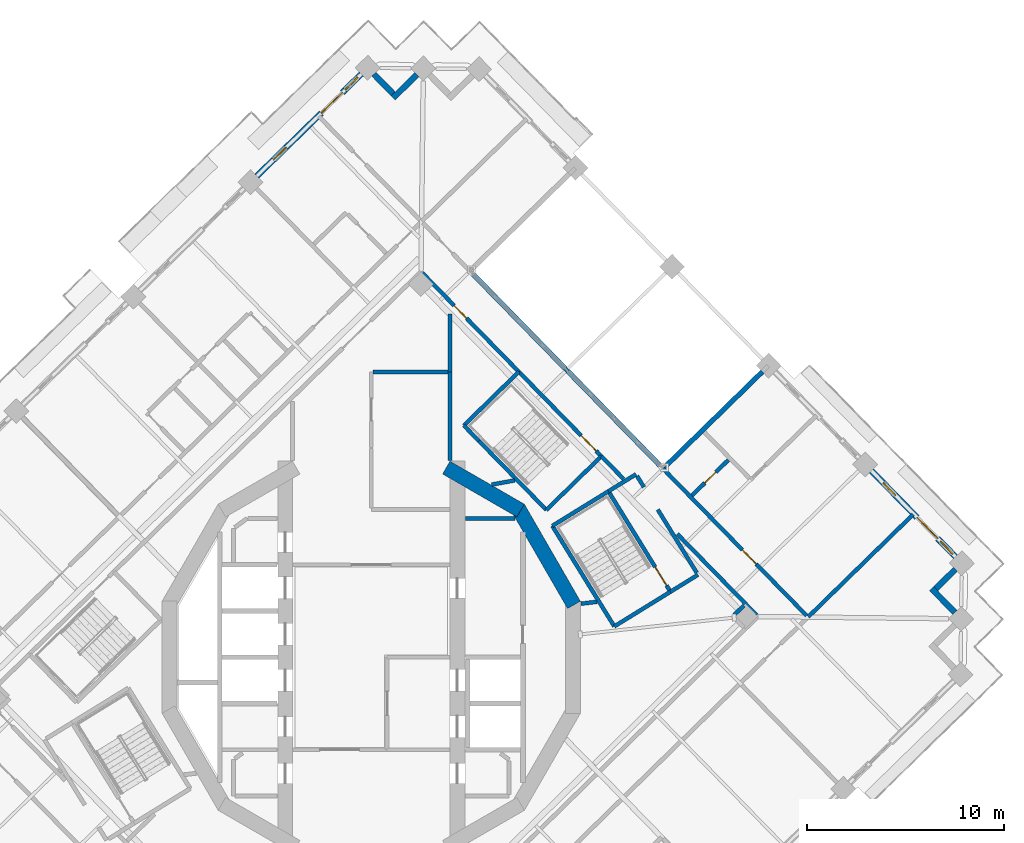
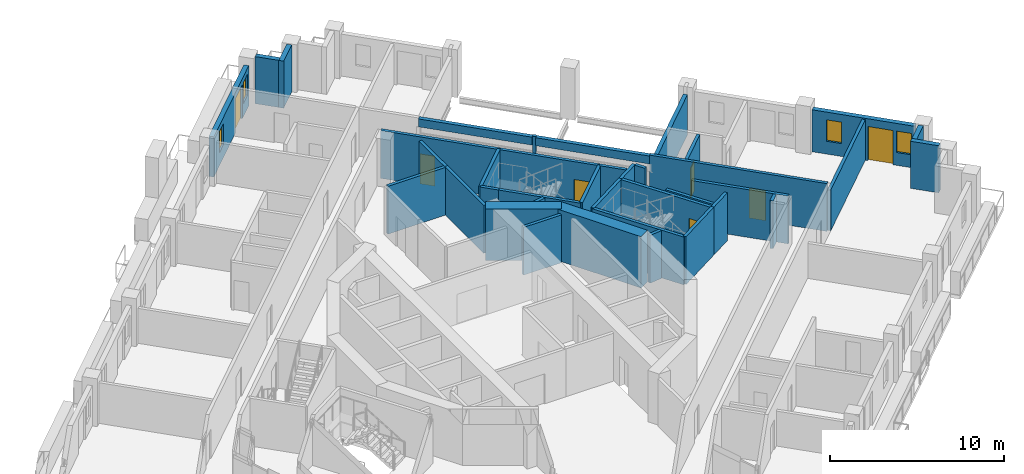
# One storey, part 12 of 20: 38 walls, 7 doors, 4 windows, 11 openings.
"""IFC4 building model written with IfcOpenShell, lengths in metres."""

import ifcopenshell
import ifcopenshell.guid

model = None  # the IFC model being written
_history = None  # IfcOwnerHistory: only IFC2X3 demands one
_inside = {}  # id of a spatial element -> (the spatial element, [elements in it])
_under = {}  # id of a project, library or spatial element -> (it, [spatial elements below it])
_declared = {}  # id of a project -> (the project, [libraries it declares])
_typed = {}  # id of a type object -> (the type object, [elements of that type])
_made_of = {}  # id of a material, layer set ... -> (it, [elements and type objects made of it])


def new_model(schema):
    """Start an empty IFC model of exactly this schema.

    Asked for "IFC4X3", IfcOpenShell would pick the latest addendum, in which some entities
    have other attributes; the version numbers below select the first issue.
    IFC2X3 requires an IfcOwnerHistory on every rooted entity: one is made here for all.
    """
    global model, _history
    if schema == "IFC4X3":
        model = ifcopenshell.file(schema_version=(4, 3, 0, 0))
    else:
        model = ifcopenshell.file(schema=schema)
    _inside.clear()
    _under.clear()
    _declared.clear()
    _typed.clear()
    _made_of.clear()
    _history = None
    if model.schema == "IFC2X3":
        org = make("IfcOrganization", Name="unknown")
        user = make(
            "IfcPersonAndOrganization",
            ThePerson=make("IfcPerson", FamilyName="unknown"),
            TheOrganization=org,
        )
        app = make(
            "IfcApplication",
            ApplicationDeveloper=org,
            Version="unknown",
            ApplicationFullName="unknown",
            ApplicationIdentifier="unknown",
        )
        _history = make(
            "IfcOwnerHistory",
            OwningUser=user,
            OwningApplication=app,
            ChangeAction="ADDED",
            CreationDate=0,
        )
    return model


def make(cls, **values):
    """One entity of the class cls with the attributes given. An attribute that is None is left unset."""
    return model.create_entity(
        cls, **{name: value for name, value in values.items() if value is not None}
    )


def rooted(cls, **values):
    """An entity with a GlobalId (a new one), such as an element, a storey or a relation."""
    return make(cls, GlobalId=ifcopenshell.guid.new(), OwnerHistory=_history, **values)


def si_unit(unit_type, name, prefix=None):
    """IfcSIUnit, for example si_unit("LENGTHUNIT", "METRE", prefix="MILLI")."""
    return make("IfcSIUnit", UnitType=unit_type, Prefix=prefix, Name=name)


def assignment(units):
    """IfcUnitAssignment: the units of a project."""
    return None if units is None else make("IfcUnitAssignment", Units=units)


def point(xyz):
    """IfcCartesianPoint."""
    return None if xyz is None else make("IfcCartesianPoint", Coordinates=xyz)


def direction(xyz):
    """IfcDirection."""
    return None if xyz is None else make("IfcDirection", DirectionRatios=xyz)


def frame(location, z_axis=None, x_axis=None):
    """IfcAxis2Placement3D, a coordinate frame: its origin and axes. An axis left out is left unset."""
    return make(
        "IfcAxis2Placement3D",
        Location=point(location),
        Axis=direction(z_axis),
        RefDirection=direction(x_axis),
    )


def frame_2d(location, x_axis=None):
    """IfcAxis2Placement2D, a coordinate frame in the plane: its origin and x axis."""
    return make(
        "IfcAxis2Placement2D", Location=point(location), RefDirection=direction(x_axis)
    )


def origin():
    """The frame at (0, 0, 0) with its axes left unset."""
    return frame((0.0, 0.0, 0.0))


def place(relative_to, where):
    """IfcLocalPlacement: puts the frame where relative to a parent placement (None: the world)."""
    return make(
        "IfcLocalPlacement", PlacementRelTo=relative_to, RelativePlacement=where
    )


def context(
    kind, dimensions, precision=None, world=None, true_north=None, identifier=None
):
    """IfcGeometricRepresentationContext, for example the 3D "Model" context."""
    return make(
        "IfcGeometricRepresentationContext",
        ContextIdentifier=identifier,
        ContextType=kind,
        CoordinateSpaceDimension=dimensions,
        Precision=precision,
        WorldCoordinateSystem=world,
        TrueNorth=true_north,
    )


def subcontext(parent, identifier, kind, view, scale=None):
    """IfcGeometricRepresentationSubContext, for example "Body" below "Model"."""
    return make(
        "IfcGeometricRepresentationSubContext",
        ContextIdentifier=identifier,
        ContextType=kind,
        ParentContext=parent,
        TargetScale=scale,
        TargetView=view,
    )


def project(units=None, contexts=None):
    """IfcProject with its units and contexts."""
    return rooted(
        "IfcProject",
        Name="project",
        RepresentationContexts=contexts,
        UnitsInContext=assignment(units),
    )


def spatial(cls, under=None, at=None, **own):
    """A site, building, storey or space (cls), placed at a placement, below another one or the project."""
    s = rooted(cls, ObjectPlacement=at, **own)
    if under is not None:
        _under.setdefault(under.id(), (under, []))[1].append(s)
    return s


def profile(cls, at=None, kind="AREA", **sizes):
    """A parametric profile (cls). Its sizes go by their IFC names, for example OverallWidth=200.0."""
    return make(cls, ProfileType=kind, Position=at, **sizes)


def rectangle(**sizes):
    """IfcRectangleProfileDef."""
    return profile("IfcRectangleProfileDef", **sizes)


def extrude(swept, where, along, depth):
    """IfcExtrudedAreaSolid: the profile swept, set in the frame where, extruded along a direction by depth."""
    return make(
        "IfcExtrudedAreaSolid",
        SweptArea=swept,
        Position=where,
        ExtrudedDirection=direction(along),
        Depth=depth,
    )


def shape(context_of_items, identifier, shape_type, items):
    """IfcShapeRepresentation: the items that make up one representation, for example the "Body"."""
    return make(
        "IfcShapeRepresentation",
        ContextOfItems=context_of_items,
        RepresentationIdentifier=identifier,
        RepresentationType=shape_type,
        Items=items,
    )


def material(Name=None, Category=None):
    """IfcMaterial."""
    return make("IfcMaterial", Name=Name, Category=Category)


def layer(
    of_material, thickness, ventilated=None, Name=None, Category=None, Priority=None
):
    """IfcMaterialLayer: one layer of a wall or slab, of a material (None: an air gap)."""
    return make(
        "IfcMaterialLayer",
        Material=of_material,
        LayerThickness=thickness,
        IsVentilated=ventilated,
        Name=Name,
        Category=Category,
        Priority=Priority,
    )


def layer_set(layers, Name=None):
    """IfcMaterialLayerSet."""
    return make("IfcMaterialLayerSet", MaterialLayers=layers, LayerSetName=Name)


def made_of(thing, what):
    """Note that an element or type object is made of a material, layer set ...; save() writes the relation."""
    if what is not None:
        _made_of.setdefault(what.id(), (what, []))[1].append(thing)
    return thing


def type_object(cls, material=None, **own):
    """A type object (cls), such as IfcWallType, which elements share."""
    return made_of(rooted(cls, **own), material)


def element(
    cls,
    number,
    at=None,
    inside=None,
    cuts=None,
    type_object=None,
    material=None,
    context=None,
    identifier="Body",
    shape_type=None,
    held_by="IfcProductDefinitionShape",
    body=None,
    shapes=None,
    **own,
):
    """One element of the class cls, such as IfcWall. Its Tag is "e" and its number.

    at: its placement. inside: the storey or other place that contains it. cuts: it is an
    opening in that element (IfcRelVoidsElement). A single representation is given by context,
    identifier, shape_type and body (its items); several are given by shapes. held_by: the class
    of the entity that holds the representations. save() writes the other relations.
    """
    e = rooted(cls, Tag="e%d" % number, ObjectPlacement=at, **own)
    if body is not None:
        shapes = [shape(context, identifier, shape_type, body)]
    if shapes is not None:
        e.Representation = make(held_by, Representations=shapes)
    if inside is not None:
        _inside.setdefault(inside.id(), (inside, []))[1].append(e)
    if cuts is not None:
        rooted(
            "IfcRelVoidsElement", RelatingBuildingElement=cuts, RelatedOpeningElement=e
        )
    if type_object is not None:
        _typed.setdefault(type_object.id(), (type_object, []))[1].append(e)
    return made_of(e, material)


def fill(opening, filler):
    """IfcRelFillsElement: the door or window that sits in an opening."""
    return rooted(
        "IfcRelFillsElement",
        RelatingOpeningElement=opening,
        RelatedBuildingElement=filler,
    )


def aggregate(whole, parts):
    """IfcRelAggregates: a whole, such as a stair, and the parts it consists of."""
    return rooted("IfcRelAggregates", RelatingObject=whole, RelatedObjects=parts)


def save(model, path):
    """Write the relations noted so far, then the file.

    IfcRelAggregates (storeys below a building ...), IfcRelContainedInSpatialStructure (elements
    in a storey), IfcRelDefinesByType, IfcRelAssociatesMaterial and IfcRelDeclares: one each for
    every whole, place, type object, material and project.
    """
    for whole, parts in _under.values():
        aggregate(whole, parts)
    for where, things in _inside.values():
        rooted(
            "IfcRelContainedInSpatialStructure",
            RelatedElements=things,
            RelatingStructure=where,
        )
    for kind, things in _typed.values():
        rooted("IfcRelDefinesByType", RelatedObjects=things, RelatingType=kind)
    for what, things in _made_of.values():
        rooted("IfcRelAssociatesMaterial", RelatedObjects=things, RelatingMaterial=what)
    for by, libraries in _declared.values():
        rooted("IfcRelDeclares", RelatingContext=by, RelatedDefinitions=libraries)
    model.write(path)


model = new_model("IFC4")

# Units and contexts
model_context = context("Model", 3, precision=1e-05, world=origin(), true_north=direction((0.0, 1.0)))
body_context = subcontext(model_context, "Body", "Model", "MODEL_VIEW")
ifc_project = project(units=[si_unit("LENGTHUNIT", "METRE"), si_unit("AREAUNIT", "SQUARE_METRE"), si_unit("VOLUMEUNIT", "CUBIC_METRE"), si_unit("PLANEANGLEUNIT", "RADIAN"), si_unit("MASSUNIT", "GRAM", prefix="KILO")], contexts=[model_context])

# Site, building, storey
site_placement = place(None, origin())
site = spatial("IfcSite", under=ifc_project, at=site_placement, CompositionType="ELEMENT")
building_placement = place(site_placement, origin())
building = spatial("IfcBuilding", under=site, at=building_placement, Name="Cantera Rosa Tower", CompositionType="ELEMENT")
storey_placement = place(building_placement, frame((0.0, 0.0, 209.0)))
storey = spatial("IfcBuildingStorey", under=building, at=storey_placement, Name="L44", CompositionType="ELEMENT", Elevation=209.0)

# Walls
ifc_material_1 = material(Name="Gypsum board partition")
ifc_layer_1 = layer(ifc_material_1, 0.199951171875)
ifc_layer_set_1 = layer_set([ifc_layer_1], Name="CORRIDOR WALL 200 H2300")
wall_type_1 = type_object("IfcWallType", Name="CORRIDOR WALL 200 H2300", PredefinedType="PARTITIONING", material=ifc_layer_set_1)
wall_1_placement = place(storey_placement, frame((16.53759765625, 4.291748046875, 0.0), z_axis=(0.0, 0.0, 1.0), x_axis=(-0.524978610061, 0.85111542048, 0.0)))
element("IfcWall", 1, at=wall_1_placement, inside=storey, type_object=wall_type_1, Name="CORRIDOR WALL L44-116", PredefinedType="PARTITIONING", context=body_context, shape_type="SweptSolid", body=[
    extrude(rectangle(XDim=3.7705078125, YDim=0.199951171875, at=frame_2d((1.88525390625, 0.0))), origin(), (0.0, 0.0, 1.0), 2.300048828125),
])
ifc_material_2 = material(Name="Gypsum board partition")
ifc_layer_2 = layer(ifc_material_2, 0.199951171875)
ifc_layer_set_2 = layer_set([ifc_layer_2], Name="CORRIDOR WALL 200 H3350")
wall_type_2 = type_object("IfcWallType", Name="CORRIDOR WALL 200 H3350", PredefinedType="PARTITIONING", material=ifc_layer_set_2)
wall_2_placement = place(storey_placement, frame((3.89990234375, 14.5, 0.0), z_axis=(0.0, 0.0, 1.0), x_axis=(-1.0, 0.0, 0.0)))
element("IfcWall", 2, at=wall_2_placement, inside=storey, type_object=wall_type_2, Name="CORRIDOR WALL L44-080", PredefinedType="PARTITIONING", context=body_context, shape_type="SweptSolid", body=[
    extrude(rectangle(XDim=3.7998046875, YDim=0.199951171875, at=frame_2d((1.89990234375, 0.0))), origin(), (0.0, 0.0, 1.0), 3.35009765625),
])
wall_3_placement = place(storey_placement, frame((4.0, 14.5, 0.0), z_axis=(0.0, 0.0, 1.0), x_axis=(0.0, 1.0, 0.0)))
element("IfcWall", 3, at=wall_3_placement, inside=storey, type_object=wall_type_2, Name="CORRIDOR WALL L44-081", PredefinedType="PARTITIONING", context=body_context, shape_type="SweptSolid", body=[
    extrude(rectangle(XDim=2.94189453125, YDim=0.199951171875, at=frame_2d((1.470947265625, 0.0))), origin(), (0.0, 0.0, 1.0), 3.35009765625),
])

# Wall, opening, door
wall_4_placement = place(storey_placement, frame((7.498779296875, 14.50439453125, 0.0), z_axis=(0.0, 0.0, 1.0), x_axis=(-0.69881117118, 0.715306191106, 0.0)))
wall_4 = element("IfcWall", 4, at=wall_4_placement, inside=storey, type_object=wall_type_2, Name="CORRIDOR WALL L44-093", PredefinedType="PARTITIONING", context=body_context, shape_type="SweptSolid", body=[
    extrude(rectangle(XDim=7.015625, YDim=0.199951171875, at=frame_2d((3.5078125, 0.0))), origin(), (0.0, 0.0, 1.0), 3.35009765625),
])
opening_1_placement = place(wall_4_placement, frame((3.8056640625, 0.0, 0.0)))
opening_1 = element("IfcOpeningElement", 5, at=opening_1_placement, cuts=wall_4, Name="Opening L44-007", PredefinedType="OPENING", context=body_context, shape_type="SweptSolid", body=[
    extrude(rectangle(XDim=0.89990234375, YDim=2.10009765625, at=frame_2d((0.449951171875, 1.050048828125))), frame((0.0, 0.10986328125, 0.0), z_axis=(0.0, -1.0, 0.0), x_axis=(1.0, 0.0, 0.0)), (0.0, 0.0, 1.0), 0.219970703125),
])
ifc_material_3 = material(Name="Timber door leaf", Category="wood")
door_type_1 = type_object("IfcDoorType", Name="SERVICE DOOR 900x2100", OperationType="NOTDEFINED", PredefinedType="DOOR", material=ifc_material_3)
door_1_placement = place(opening_1_placement, origin())
door_1 = element("IfcDoor", 6, at=door_1_placement, inside=storey, type_object=door_type_1, Name="DOOR L44-007", OperationType="NOTDEFINED", OverallHeight=2.10009765625, OverallWidth=0.89990234375, PredefinedType="DOOR", context=body_context, shape_type="SweptSolid", body=[
    extrude(rectangle(XDim=0.89990234375, YDim=2.10009765625, at=frame_2d((0.449951171875, 1.050048828125))), frame((0.0, 0.02490234375, 0.0), z_axis=(0.0, -1.0, 0.0), x_axis=(1.0, 0.0, 0.0)), (0.0, 0.0, 1.0), 0.050048828125),
])
fill(opening_1, door_1)

# Walls
wall_5_placement = place(storey_placement, frame((12.05078125, 8.4326171875, 0.0), z_axis=(0.0, 0.0, 1.0), x_axis=(0.851076929832, 0.525041007453, 0.0)))
element("IfcWall", 7, at=wall_5_placement, inside=storey, type_object=wall_type_2, Name="CORRIDOR WALL L44-108", PredefinedType="PARTITIONING", context=body_context, shape_type="SweptSolid", body=[
    extrude(rectangle(XDim=1.645263671875, YDim=0.199951171875, at=frame_2d((0.82275390625, 0.0))), origin(), (0.0, 0.0, 1.0), 3.35009765625),
])
wall_6_placement = place(storey_placement, frame((12.828125, 9.0498046875, 0.0), z_axis=(0.0, 0.0, 1.0), x_axis=(-0.698800279723, 0.715316831242, 0.0)))
element("IfcWall", 8, at=wall_6_placement, inside=storey, type_object=wall_type_2, Name="CORRIDOR WALL L44-111", PredefinedType="PARTITIONING", context=body_context, shape_type="SweptSolid", body=[
    extrude(rectangle(XDim=1.6259765625, YDim=0.199951171875, at=frame_2d((0.81298828125, 0.0))), origin(), (0.0, 0.0, 1.0), 3.35009765625),
])
wall_7_placement = place(storey_placement, frame((15.20068359375, 3.325927734375, 0.0), z_axis=(0.0, 0.0, 1.0), x_axis=(0.8510360128, 0.525107327047, 0.0)))
element("IfcWall", 9, at=wall_7_placement, inside=storey, type_object=wall_type_2, Name="CORRIDOR WALL L44-115", PredefinedType="PARTITIONING", context=body_context, shape_type="SweptSolid", body=[
    extrude(rectangle(XDim=1.64501953125, YDim=0.199951171875, at=frame_2d((0.822509765625, 0.0))), origin(), (0.0, 0.0, 1.0), 3.35009765625),
])
wall_8_placement = place(storey_placement, frame((13.8525390625, 8.64501953125, 0.0), z_axis=(0.0, 0.0, 1.0), x_axis=(-0.52487540685, 0.851179068871, 0.0)))
element("IfcWall", 10, at=wall_8_placement, inside=storey, type_object=wall_type_2, Name="CORRIDOR WALL L44-117", PredefinedType="PARTITIONING", context=body_context, shape_type="SweptSolid", body=[
    extrude(rectangle(XDim=0.6650390625, YDim=0.199951171875, at=frame_2d((0.33251953125, 0.0))), origin(), (0.0, 0.0, 1.0), 3.35009765625),
])
wall_9_placement = place(storey_placement, frame((19.57763671875, 2.14111328125, 0.0), z_axis=(0.0, 0.0, 1.0), x_axis=(-0.698829155251, 0.715288621307, 0.0)))
element("IfcWall", 11, at=wall_9_placement, inside=storey, type_object=wall_type_2, Name="CORRIDOR WALL L44-123", PredefinedType="PARTITIONING", context=body_context, shape_type="SweptSolid", body=[
    extrude(rectangle(XDim=5.77001953125, YDim=0.199951171875, at=frame_2d((2.885009765625, 0.0))), origin(), (0.0, 0.0, 1.0), 3.35009765625),
])

# Wall, opening, door
wall_10_placement = place(storey_placement, frame((22.123291015625, 2.111572265625, 0.0), z_axis=(0.0, 0.0, 1.0), x_axis=(-0.698844025454, 0.715274092979, 0.0)))
wall_10 = element("IfcWall", 12, at=wall_10_placement, inside=storey, type_object=wall_type_2, Name="CORRIDOR WALL L44-124", PredefinedType="PARTITIONING", context=body_context, shape_type="SweptSolid", body=[
    extrude(rectangle(XDim=10.56494140625, YDim=0.199951171875, at=frame_2d((5.282470703125, 0.0))), origin(), (0.0, 0.0, 1.0), 3.35009765625),
])
opening_2_placement = place(wall_10_placement, frame((3.669921875, 0.0, 0.0)))
opening_2 = element("IfcOpeningElement", 13, at=opening_2_placement, cuts=wall_10, Name="Opening L44-023", PredefinedType="OPENING", context=body_context, shape_type="SweptSolid", body=[
    extrude(rectangle(XDim=1.0, YDim=2.10009765625, at=frame_2d((0.5, 1.050048828125))), frame((0.0, 0.10986328125, 0.0), z_axis=(0.0, -1.0, 0.0), x_axis=(1.0, 0.0, 0.0)), (0.0, 0.0, 1.0), 0.219970703125),
])
ifc_material_4 = material(Name="Timber door leaf", Category="wood")
door_type_2 = type_object("IfcDoorType", Name="ENTRANCE DOOR 1000x2100", OperationType="NOTDEFINED", PredefinedType="DOOR", material=ifc_material_4)
door_2_placement = place(opening_2_placement, origin())
door_2 = element("IfcDoor", 14, at=door_2_placement, inside=storey, type_object=door_type_2, Name="DOOR L44-023", OperationType="NOTDEFINED", OverallHeight=2.10009765625, OverallWidth=1.0, PredefinedType="DOOR", context=body_context, shape_type="SweptSolid", body=[
    extrude(rectangle(XDim=1.0, YDim=2.10009765625, at=frame_2d((0.5, 1.050048828125))), frame((0.0, 0.02490234375, 0.0), z_axis=(0.0, -1.0, 0.0), x_axis=(1.0, 0.0, 0.0)), (0.0, 0.0, 1.0), 0.050048828125),
])
fill(opening_2, door_2)

# Walls
wall_11_placement = place(storey_placement, frame((9.993408203125, 14.52685546875, 0.0), z_axis=(0.0, 0.0, 1.0), x_axis=(-0.698753642913, 0.715362388245, 0.0)))
element("IfcWall", 15, at=wall_11_placement, inside=storey, type_object=wall_type_2, Name="CORRIDOR WALL L44-125", PredefinedType="PARTITIONING", context=body_context, shape_type="SweptSolid", body=[
    extrude(rectangle(XDim=0.205810546875, YDim=0.199951171875, at=frame_2d((0.10302734375, 0.0))), origin(), (0.0, 0.0, 1.0), 3.35009765625),
])
ifc_material_5 = material(Name="Hollow clay masonry with cantera stone cladding", Category="masonry")
ifc_layer_3 = layer(ifc_material_5, 0.300048828125)
ifc_layer_set_3 = layer_set([ifc_layer_3], Name="EW-LOGGIA 300")
wall_type_3 = type_object("IfcWallType", Name="EW-LOGGIA 300", PredefinedType="SOLIDWALL", material=ifc_layer_set_3)
wall_12_placement = place(storey_placement, frame((2.324462890625, 29.602783203125, 0.0), z_axis=(0.0, 0.0, 1.0), x_axis=(-0.715316077832, -0.69880105094, 0.0)))
element("IfcWall", 16, at=wall_12_placement, inside=storey, type_object=wall_type_3, Name="EN-L44-W06a", PredefinedType="SOLIDWALL", context=body_context, shape_type="SweptSolid", body=[
    extrude(rectangle(XDim=1.699951171875, YDim=0.300048828125, at=frame_2d((0.85009765625, 0.0))), origin(), (0.0, 0.0, 1.0), 3.300048828125),
])
wall_13_placement = place(storey_placement, frame((1.111083984375, 28.626953125, 0.0), z_axis=(0.0, 0.0, 1.0), x_axis=(-0.698951192766, 0.71516937164, 0.0)))
element("IfcWall", 17, at=wall_13_placement, inside=storey, type_object=wall_type_3, Name="EN-L44-W06b", PredefinedType="SOLIDWALL", context=body_context, shape_type="SweptSolid", body=[
    extrude(rectangle(XDim=1.39990234375, YDim=0.300048828125, at=frame_2d((0.699951171875, 0.0))), origin(), (0.0, 0.0, 1.0), 3.300048828125),
])
wall_14_placement = place(storey_placement, frame((29.65625, 2.271484375, 0.0), z_axis=(0.0, 0.0, 1.0), x_axis=(-0.698872839675, 0.715245939495, 0.0)))
element("IfcWall", 18, at=wall_14_placement, inside=storey, type_object=wall_type_3, Name="EN-L44-W27a", PredefinedType="SOLIDWALL", context=body_context, shape_type="SweptSolid", body=[
    extrude(rectangle(XDim=1.699951171875, YDim=0.300048828125, at=frame_2d((0.85009765625, 0.0))), origin(), (0.0, 0.0, 1.0), 3.300048828125),
])
wall_15_placement = place(storey_placement, frame((28.680419921875, 3.48486328125, 0.0), z_axis=(0.0, 0.0, 1.0), x_axis=(0.71516937164, 0.698951192766, 0.0)))
element("IfcWall", 19, at=wall_15_placement, inside=storey, type_object=wall_type_3, Name="EN-L44-W27b", PredefinedType="SOLIDWALL", context=body_context, shape_type="SweptSolid", body=[
    extrude(rectangle(XDim=1.39990234375, YDim=0.300048828125, at=frame_2d((0.699951171875, 0.0))), origin(), (0.0, 0.0, 1.0), 3.300048828125),
])

# Wall, openings, windows, door
ifc_material_6 = material(Name="Hollow clay masonry with cantera stone cladding", Category="masonry")
ifc_layer_4 = layer(ifc_material_6, 0.300048828125)
ifc_layer_set_4 = layer_set([ifc_layer_4], Name="EW-LOGGIA 300 H2820")
wall_type_4 = type_object("IfcWallType", Name="EW-LOGGIA 300 H2820", PredefinedType="SOLIDWALL", material=ifc_layer_set_4)
wall_16_placement = place(storey_placement, frame((-0.503662109375, 29.6357421875, 0.0), z_axis=(0.0, 0.0, 1.0), x_axis=(-0.715284379566, -0.698833496871, 0.0)))
wall_16 = element("IfcWall", 20, at=wall_16_placement, inside=storey, type_object=wall_type_4, Name="EN-L44-W07", PredefinedType="SOLIDWALL", context=body_context, shape_type="SweptSolid", body=[
    extrude(rectangle(XDim=7.42041015625, YDim=0.300048828125, at=frame_2d((3.710205078125, 0.0))), origin(), (0.0, 0.0, 1.0), 2.820068359375),
])
opening_3_placement = place(wall_16_placement, frame((0.25, 0.0, 0.89990234375)))
opening_3 = element("IfcOpeningElement", 21, at=opening_3_placement, cuts=wall_16, Name="Opening L44-W07", PredefinedType="OPENING", context=body_context, shape_type="SweptSolid", body=[
    extrude(rectangle(XDim=0.89990234375, YDim=1.5, at=frame_2d((0.449951171875, 0.75))), frame((0.0, 0.159912109375, 0.0), z_axis=(0.0, -1.0, 0.0), x_axis=(1.0, 0.0, 0.0)), (0.0, 0.0, 1.0), 0.320068359375),
])
opening_4_placement = place(wall_16_placement, frame((1.35009765625, 0.0, 0.0)))
opening_4 = element("IfcOpeningElement", 22, at=opening_4_placement, cuts=wall_16, Name="Opening L44-TD08", PredefinedType="OPENING", context=body_context, shape_type="SweptSolid", body=[
    extrude(rectangle(XDim=1.5, YDim=2.39990234375, at=frame_2d((0.75, 1.199951171875))), frame((0.0, 0.159912109375, 0.0), z_axis=(0.0, -1.0, 0.0), x_axis=(1.0, 0.0, 0.0)), (0.0, 0.0, 1.0), 0.320068359375),
])
opening_5_placement = place(wall_16_placement, frame((5.340087890625, 0.0, 0.89990234375)))
opening_5 = element("IfcOpeningElement", 23, at=opening_5_placement, cuts=wall_16, Name="Opening L44-W09", PredefinedType="OPENING", context=body_context, shape_type="SweptSolid", body=[
    extrude(rectangle(XDim=0.89990234375, YDim=1.5, at=frame_2d((0.449951171875, 0.75))), frame((0.0, 0.159912109375, 0.0), z_axis=(0.0, -1.0, 0.0), x_axis=(1.0, 0.0, 0.0)), (0.0, 0.0, 1.0), 0.320068359375),
])
ifc_material_7 = material(Name="Aluminium frame with clear glass", Category="aluminium")
window_type = type_object("IfcWindowType", Name="Residential window 900x1500", PartitioningType="SINGLE_PANEL", PredefinedType="WINDOW", material=ifc_material_7)
window_1_placement = place(opening_3_placement, origin())
window_1 = element("IfcWindow", 24, at=window_1_placement, inside=storey, type_object=window_type, Name="WINDOW L44-W07", OverallHeight=1.5, OverallWidth=0.89990234375, PartitioningType="SINGLE_PANEL", PredefinedType="WINDOW", context=body_context, shape_type="SweptSolid", body=[
    extrude(rectangle(XDim=0.89990234375, YDim=1.5, at=frame_2d((0.449951171875, 0.75))), frame((0.0, 0.030029296875, 0.0), z_axis=(0.0, -1.0, 0.0), x_axis=(1.0, 0.0, 0.0)), (0.0, 0.0, 1.0), 0.06005859375),
])
fill(opening_3, window_1)
window_2_placement = place(opening_5_placement, origin())
window_2 = element("IfcWindow", 25, at=window_2_placement, inside=storey, type_object=window_type, Name="WINDOW L44-W09", OverallHeight=1.5, OverallWidth=0.89990234375, PartitioningType="SINGLE_PANEL", PredefinedType="WINDOW", context=body_context, shape_type="SweptSolid", body=[
    extrude(rectangle(XDim=0.89990234375, YDim=1.5, at=frame_2d((0.449951171875, 0.75))), frame((0.0, 0.030029296875, 0.0), z_axis=(0.0, -1.0, 0.0), x_axis=(1.0, 0.0, 0.0)), (0.0, 0.0, 1.0), 0.06005859375),
])
fill(opening_5, window_2)
ifc_material_8 = material(Name="Aluminium frame with clear glass", Category="aluminium")
door_type_3 = type_object("IfcDoorType", Name="TD-R 1500x2400", OperationType="NOTDEFINED", PredefinedType="DOOR", material=ifc_material_8)
door_3_placement = place(opening_4_placement, origin())
door_3 = element("IfcDoor", 26, at=door_3_placement, inside=storey, type_object=door_type_3, Name="LOGGIA DOOR L44-TD08", OperationType="SLIDING_TO_LEFT", OverallHeight=2.39990234375, OverallWidth=1.5, PredefinedType="DOOR", context=body_context, shape_type="SweptSolid", body=[
    extrude(rectangle(XDim=1.5, YDim=2.39990234375, at=frame_2d((0.75, 1.199951171875))), frame((0.0, 0.02490234375, 0.0), z_axis=(0.0, -1.0, 0.0), x_axis=(1.0, 0.0, 0.0)), (0.0, 0.0, 1.0), 0.050048828125),
])
fill(opening_4, door_3)

ifc_material_9 = material(Name="Hollow clay masonry with cantera stone cladding", Category="masonry")
ifc_layer_5 = layer(ifc_material_9, 0.300048828125)
ifc_layer_set_5 = layer_set([ifc_layer_5], Name="EW-LOGGIA 300 H2940")
wall_type_5 = type_object("IfcWallType", Name="EW-LOGGIA 300 H2940", PredefinedType="SOLIDWALL", material=ifc_layer_set_5)
wall_17_placement = place(storey_placement, frame((29.689208984375, 5.099609375, 0.0), z_axis=(0.0, 0.0, 1.0), x_axis=(-0.69882117953, 0.715296413412, 0.0)))
wall_17 = element("IfcWall", 27, at=wall_17_placement, inside=storey, type_object=wall_type_5, Name="EN-L44-W28", PredefinedType="SOLIDWALL", context=body_context, shape_type="SweptSolid", body=[
    extrude(rectangle(XDim=6.1201171875, YDim=0.300048828125, at=frame_2d((3.06005859375, 0.0))), origin(), (0.0, 0.0, 1.0), 2.93994140625),
])
opening_6_placement = place(wall_17_placement, frame((0.199951171875, 0.0, 0.89990234375)))
opening_6 = element("IfcOpeningElement", 28, at=opening_6_placement, cuts=wall_17, Name="Opening L44-W52", PredefinedType="OPENING", context=body_context, shape_type="SweptSolid", body=[
    extrude(rectangle(XDim=0.89990234375, YDim=1.5, at=frame_2d((0.449951171875, 0.75))), frame((0.0, 0.159912109375, 0.0), z_axis=(0.0, -1.0, 0.0), x_axis=(1.0, 0.0, 0.0)), (0.0, 0.0, 1.0), 0.320068359375),
])
opening_7_placement = place(wall_17_placement, frame((1.300048828125, 0.0, 0.0)))
opening_7 = element("IfcOpeningElement", 29, at=opening_7_placement, cuts=wall_17, Name="Opening L44-TD53", PredefinedType="OPENING", context=body_context, shape_type="SweptSolid", body=[
    extrude(rectangle(XDim=1.5, YDim=2.39990234375, at=frame_2d((0.75, 1.199951171875))), frame((0.0, 0.159912109375, 0.0), z_axis=(0.0, -1.0, 0.0), x_axis=(1.0, 0.0, 0.0)), (0.0, 0.0, 1.0), 0.320068359375),
])
opening_8_placement = place(wall_17_placement, frame((4.364990234375, 0.0, 0.89990234375)))
opening_8 = element("IfcOpeningElement", 30, at=opening_8_placement, cuts=wall_17, Name="Opening L44-W54", PredefinedType="OPENING", context=body_context, shape_type="SweptSolid", body=[
    extrude(rectangle(XDim=0.89990234375, YDim=1.5, at=frame_2d((0.449951171875, 0.75))), frame((0.0, 0.159912109375, 0.0), z_axis=(0.0, -1.0, 0.0), x_axis=(1.0, 0.0, 0.0)), (0.0, 0.0, 1.0), 0.320068359375),
])
window_3_placement = place(opening_6_placement, origin())
window_3 = element("IfcWindow", 31, at=window_3_placement, inside=storey, type_object=window_type, Name="WINDOW L44-W52", OverallHeight=1.5, OverallWidth=0.89990234375, PartitioningType="SINGLE_PANEL", PredefinedType="WINDOW", context=body_context, shape_type="SweptSolid", body=[
    extrude(rectangle(XDim=0.89990234375, YDim=1.5, at=frame_2d((0.449951171875, 0.75))), frame((0.0, 0.030029296875, 0.0), z_axis=(0.0, -1.0, 0.0), x_axis=(1.0, 0.0, 0.0)), (0.0, 0.0, 1.0), 0.06005859375),
])
fill(opening_6, window_3)
window_4_placement = place(opening_8_placement, origin())
window_4 = element("IfcWindow", 32, at=window_4_placement, inside=storey, type_object=window_type, Name="WINDOW L44-W54", OverallHeight=1.5, OverallWidth=0.89990234375, PartitioningType="SINGLE_PANEL", PredefinedType="WINDOW", context=body_context, shape_type="SweptSolid", body=[
    extrude(rectangle(XDim=0.89990234375, YDim=1.5, at=frame_2d((0.449951171875, 0.75))), frame((0.0, 0.030029296875, 0.0), z_axis=(0.0, -1.0, 0.0), x_axis=(1.0, 0.0, 0.0)), (0.0, 0.0, 1.0), 0.06005859375),
])
fill(opening_8, window_4)
door_4_placement = place(opening_7_placement, origin())
door_4 = element("IfcDoor", 33, at=door_4_placement, inside=storey, type_object=door_type_3, Name="LOGGIA DOOR L44-TD53", OperationType="SLIDING_TO_LEFT", OverallHeight=2.39990234375, OverallWidth=1.5, PredefinedType="DOOR", context=body_context, shape_type="SweptSolid", body=[
    extrude(rectangle(XDim=1.5, YDim=2.39990234375, at=frame_2d((0.75, 1.199951171875))), frame((0.0, 0.02490234375, 0.0), z_axis=(0.0, -1.0, 0.0), x_axis=(1.0, 0.0, 0.0)), (0.0, 0.0, 1.0), 0.050048828125),
])
fill(opening_7, door_4)

# Walls
ifc_material_10 = material(Name="Concrete C40/50", Category="concrete")
ifc_layer_6 = layer(ifc_material_10, 0.25)
ifc_layer_set_6 = layer_set([ifc_layer_6], Name="EW-POCKET CHEEK 250 H2820")
wall_type_6 = type_object("IfcWallType", Name="EW-POCKET CHEEK 250 H2820", PredefinedType="SOLIDWALL", material=ifc_layer_set_6)
wall_18_placement = place(storey_placement, frame((19.8701171875, 14.505859375, 0.0), z_axis=(0.0, 0.0, 1.0), x_axis=(-0.715278984135, -0.69883901927, 0.0)))
element("IfcWall", 34, at=wall_18_placement, inside=storey, type_object=wall_type_6, Name="POCKET CHEEK A L44", PredefinedType="SOLIDWALL", context=body_context, shape_type="SweptSolid", body=[
    extrude(rectangle(XDim=6.949951171875, YDim=0.25, at=frame_2d((3.47509765625, 0.0))), origin(), (0.0, 0.0, 1.0), 2.820068359375),
])
ifc_material_11 = material(Name="Hollow clay masonry with cantera stone cladding", Category="masonry")
ifc_layer_7 = layer(ifc_material_11, 0.25)
ifc_layer_set_7 = layer_set([ifc_layer_7], Name="EW-POCKET REAR 250")
wall_type_7 = type_object("IfcWallType", Name="EW-POCKET REAR 250", PredefinedType="SOLIDWALL", material=ifc_layer_set_7)
for number, where, z_axis, x_axis, name in (
    (35, (14.739990234375, 9.66845703125, 2.741943359375), (0.0, 0.0, 1.0), (-0.698809251917, 0.715308066105, 0.0), "POCKET SPANDREL L44-1"),
    (36, (9.849609375, 14.674072265625, 2.741943359375), (0.0, 0.0, 1.0), (-0.698845610595, 0.715272544246, 0.0), "POCKET SPANDREL L44-2"),
):
    element("IfcWall", number, at=place(storey_placement, frame(where, z_axis=z_axis, x_axis=x_axis)), inside=storey, type_object=wall_type_7, Name=name, PredefinedType="SOLIDWALL", context=body_context, shape_type="SweptSolid", body=[
        extrude(rectangle(XDim=6.7919921875, YDim=0.25, at=frame_2d((3.39599609375, 0.0))), origin(), (0.0, 0.0, 1.0), 0.55810546875),
    ])
ifc_material_12 = material(Name="Gypsum board partition")
ifc_layer_8 = layer(ifc_material_12, 0.199951171875)
ifc_layer_set_8 = layer_set([ifc_layer_8], Name="PARTITION 200 H3350")
wall_type_8 = type_object("IfcWallType", Name="PARTITION 200 H3350", PredefinedType="PARTITIONING", material=ifc_layer_set_8)
wall_19_placement = place(storey_placement, frame((4.0, 9.994140625, 0.0), z_axis=(0.0, 0.0, 1.0), x_axis=(0.0, 1.0, 0.0)))
element("IfcWall", 37, at=wall_19_placement, inside=storey, type_object=wall_type_8, Name="PARTITION L44-079", PredefinedType="PARTITIONING", context=body_context, shape_type="SweptSolid", body=[
    extrude(rectangle(XDim=4.505859375, YDim=0.199951171875, at=frame_2d((2.2529296875, 0.0))), origin(), (0.0, 0.0, 1.0), 3.35009765625),
])
wall_20_placement = place(storey_placement, frame((4.780029296875, 7.050048828125, 0.0), z_axis=(0.0, 0.0, 1.0), x_axis=(1.0, 0.0, 0.0)))
element("IfcWall", 38, at=wall_20_placement, inside=storey, type_object=wall_type_8, Name="PARTITION L44-084", PredefinedType="PARTITIONING", context=body_context, shape_type="SweptSolid", body=[
    extrude(rectangle(XDim=2.517822265625, YDim=0.199951171875, at=frame_2d((1.2587890625, 0.0))), origin(), (0.0, 0.0, 1.0), 3.35009765625),
])
wall_21_placement = place(storey_placement, frame((7.29052734375, 8.986083984375, 0.0), z_axis=(0.0, 0.0, 1.0), x_axis=(-0.983804366363, -0.179245554271, 0.0)))
element("IfcWall", 39, at=wall_21_placement, inside=storey, type_object=wall_type_8, Name="PARTITION L44-090", PredefinedType="PARTITIONING", context=body_context, shape_type="SweptSolid", body=[
    extrude(rectangle(XDim=1.193115234375, YDim=0.199951171875, at=frame_2d((0.5966796875, 0.0))), origin(), (0.0, 0.0, 1.0), 3.35009765625),
])
wall_22_placement = place(storey_placement, frame((10.6552734375, 2.720703125, 0.0), z_axis=(0.0, 0.0, 1.0), x_axis=(0.993258541439, 0.115920101187, 0.0)))
element("IfcWall", 40, at=wall_22_placement, inside=storey, type_object=wall_type_8, Name="PARTITION L44-104", PredefinedType="PARTITIONING", context=body_context, shape_type="SweptSolid", body=[
    extrude(rectangle(XDim=0.815185546875, YDim=0.199951171875, at=frame_2d((0.40771484375, 0.0))), origin(), (0.0, 0.0, 1.0), 3.35009765625),
])

# Wall, opening, door
wall_23_placement = place(storey_placement, frame((18.14208984375, 10.021484375, 0.0), z_axis=(0.0, 0.0, 1.0), x_axis=(-0.715337680074, -0.69877893748, 0.0)))
wall_23 = element("IfcWall", 41, at=wall_23_placement, inside=storey, type_object=wall_type_8, Name="PARTITION L44-119", PredefinedType="PARTITIONING", context=body_context, shape_type="SweptSolid", body=[
    extrude(rectangle(XDim=2.580078125, YDim=0.199951171875, at=frame_2d((1.2900390625, 0.0))), origin(), (0.0, 0.0, 1.0), 3.35009765625),
])
opening_9_placement = place(wall_23_placement, frame((0.8798828125, 0.0, 0.0)))
opening_9 = element("IfcOpeningElement", 42, at=opening_9_placement, cuts=wall_23, Name="Opening L44-024", PredefinedType="OPENING", context=body_context, shape_type="SweptSolid", body=[
    extrude(rectangle(XDim=0.800048828125, YDim=2.10009765625, at=frame_2d((0.39990234375, 1.050048828125))), frame((0.0, 0.10986328125, 0.0), z_axis=(0.0, -1.0, 0.0), x_axis=(1.0, 0.0, 0.0)), (0.0, 0.0, 1.0), 0.219970703125),
])
ifc_material_13 = material(Name="Timber door leaf", Category="wood")
door_type_4 = type_object("IfcDoorType", Name="BATHROOM DOOR 800x2100", OperationType="NOTDEFINED", PredefinedType="DOOR", material=ifc_material_13)
door_5_placement = place(opening_9_placement, origin())
door_5 = element("IfcDoor", 43, at=door_5_placement, inside=storey, type_object=door_type_4, Name="DOOR L44-024", OperationType="NOTDEFINED", OverallHeight=2.10009765625, OverallWidth=0.800048828125, PredefinedType="DOOR", context=body_context, shape_type="SweptSolid", body=[
    extrude(rectangle(XDim=0.800048828125, YDim=2.10009765625, at=frame_2d((0.39990234375, 1.050048828125))), frame((0.0, 0.02490234375, 0.0), z_axis=(0.0, -1.0, 0.0), x_axis=(1.0, 0.0, 0.0)), (0.0, 0.0, 1.0), 0.050048828125),
])
fill(opening_9, door_5)

# Walls
wall_24_placement = place(storey_placement, frame((18.932861328125, 2.62939453125, 0.0), z_axis=(0.0, 0.0, 1.0), x_axis=(-0.715493021556, -0.698619879552, 0.0)))
element("IfcWall", 44, at=wall_24_placement, inside=storey, type_object=wall_type_8, Name="PARTITION L44-122", PredefinedType="PARTITIONING", context=body_context, shape_type="SweptSolid", body=[
    extrude(rectangle(XDim=0.679931640625, YDim=0.199951171875, at=frame_2d((0.33984375, 0.0))), origin(), (0.0, 0.0, 1.0), 3.35009765625),
])
ifc_material_14 = material(Name="Gypsum board partition")
ifc_layer_9 = layer(ifc_material_14, 0.199951171875)
ifc_layer_set_9 = layer_set([ifc_layer_9], Name="PARTY WALL 200 H2850")
wall_type_9 = type_object("IfcWallType", Name="PARTY WALL 200 H2850", PredefinedType="PARTITIONING", material=ifc_layer_set_9)
wall_25_placement = place(storey_placement, frame((27.5361328125, 7.26025390625, 0.0), z_axis=(0.0, 0.0, 1.0), x_axis=(-0.715284364496, -0.698833512296, 0.0)))
element("IfcWall", 45, at=wall_25_placement, inside=storey, type_object=wall_type_9, Name="PARTY WALL L44-128", PredefinedType="PARTITIONING", context=body_context, shape_type="SweptSolid", body=[
    extrude(rectangle(XDim=7.449951171875, YDim=0.199951171875, at=frame_2d((3.72509765625, 0.0))), origin(), (0.0, 0.0, 1.0), 2.85009765625),
])
ifc_material_15 = material(Name="Concrete C60/75", Category="concrete")
ifc_layer_10 = layer(ifc_material_15, 0.75)
ifc_layer_set_10 = layer_set([ifc_layer_10], Name="RC CORE WALL 750 C60/75")
wall_type_10 = type_object("IfcWallType", Name="RC CORE WALL 750 C60/75", PredefinedType="SHEAR", material=ifc_layer_set_10)
wall_26_placement = place(storey_placement, frame((3.8125, 9.634765625, 0.0), z_axis=(0.0, 0.0, 1.0), x_axis=(0.866013176292, -0.50002117804, 0.0)))
element("IfcWall", 46, at=wall_26_placement, inside=storey, type_object=wall_type_10, Name="CW-E1 L44", PredefinedType="SHEAR", context=body_context, shape_type="SweptSolid", body=[
    extrude(rectangle(XDim=4.362548828125, YDim=0.75, at=frame_2d((2.18115234375, 0.0))), origin(), (0.0, 0.0, 1.0), 3.60009765625),
])
wall_27_placement = place(storey_placement, frame((7.453369140625, 7.590576171875, 0.0), z_axis=(0.0, 0.0, 1.0), x_axis=(0.500021842983, -0.866012792365, 0.0)))
element("IfcWall", 47, at=wall_27_placement, inside=storey, type_object=wall_type_10, Name="CW-E2 L44", PredefinedType="SHEAR", context=body_context, shape_type="SweptSolid", body=[
    extrude(rectangle(XDim=5.694091796875, YDim=0.75, at=frame_2d((2.84716796875, 0.0))), origin(), (0.0, 0.0, 1.0), 3.60009765625),
])
ifc_material_16 = material(Name="Concrete C50/60", Category="concrete")
ifc_layer_11 = layer(ifc_material_16, 0.199951171875)
ifc_layer_set_11 = layer_set([ifc_layer_11], Name="STAIR WALL 200 H3350")
wall_type_11 = type_object("IfcWallType", Name="STAIR WALL 200 H3350", PredefinedType="SOLIDWALL", material=ifc_layer_set_11)
wall_28_placement = place(storey_placement, frame((4.705322265625, 11.775390625, 0.0), z_axis=(0.0, 0.0, 1.0), x_axis=(0.698847807351, -0.715270397934, 0.0)))
element("IfcWall", 48, at=wall_28_placement, inside=storey, type_object=wall_type_11, Name="STAIR WALL L44-082", PredefinedType="SOLIDWALL", context=body_context, shape_type="SweptSolid", body=[
    extrude(rectangle(XDim=1.10009765625, YDim=0.199951171875, at=frame_2d((0.550048828125, 0.0))), origin(), (0.0, 0.0, 1.0), 3.35009765625),
])
wall_29_placement = place(storey_placement, frame((7.498779296875, 14.50439453125, 0.0), z_axis=(0.0, 0.0, 1.0), x_axis=(-0.715310770212, -0.698806483956, 0.0)))
element("IfcWall", 49, at=wall_29_placement, inside=storey, type_object=wall_type_11, Name="STAIR WALL L44-094", PredefinedType="SOLIDWALL", context=body_context, shape_type="SweptSolid", body=[
    extrude(rectangle(XDim=3.9052734375, YDim=0.199951171875, at=frame_2d((1.95263671875, 0.0))), origin(), (0.0, 0.0, 1.0), 3.35009765625),
])
wall_30_placement = place(storey_placement, frame((9.199462890625, 6.674072265625, 0.0), z_axis=(0.0, 0.0, 1.0), x_axis=(0.85113993661, 0.524938861495, 0.0)))
element("IfcWall", 50, at=wall_30_placement, inside=storey, type_object=wall_type_11, Name="STAIR WALL L44-100", PredefinedType="SOLIDWALL", context=body_context, shape_type="SweptSolid", body=[
    extrude(rectangle(XDim=3.35009765625, YDim=0.199951171875, at=frame_2d((1.675048828125, 0.0))), origin(), (0.0, 0.0, 1.0), 3.35009765625),
])
wall_31_placement = place(storey_placement, frame((9.199462890625, 6.674072265625, 0.0), z_axis=(0.0, 0.0, 1.0), x_axis=(0.524982543144, -0.851112994493, 0.0)))
element("IfcWall", 51, at=wall_31_placement, inside=storey, type_object=wall_type_11, Name="STAIR WALL L44-101", PredefinedType="SOLIDWALL", context=body_context, shape_type="SweptSolid", body=[
    extrude(rectangle(XDim=6.0, YDim=0.199951171875, at=frame_2d((3.0, 0.0))), origin(), (0.0, 0.0, 1.0), 3.35009765625),
])

# Wall, opening, door
wall_32_placement = place(storey_placement, frame((11.69189453125, 10.212890625, 0.0), z_axis=(0.0, 0.0, 1.0), x_axis=(-0.698860098963, 0.71525838833, 0.0)))
wall_32 = element("IfcWall", 52, at=wall_32_placement, inside=storey, type_object=wall_type_11, Name="STAIR WALL L44-105", PredefinedType="SOLIDWALL", context=body_context, shape_type="SweptSolid", body=[
    extrude(rectangle(XDim=6.0, YDim=0.199951171875, at=frame_2d((3.0, 0.0))), origin(), (0.0, 0.0, 1.0), 3.35009765625),
])
opening_10_placement = place(wall_32_placement, frame((0.375, 0.0, 0.0)))
opening_10 = element("IfcOpeningElement", 53, at=opening_10_placement, cuts=wall_32, Name="Opening L44-003", PredefinedType="OPENING", context=body_context, shape_type="SweptSolid", body=[
    extrude(rectangle(XDim=1.10009765625, YDim=2.10009765625, at=frame_2d((0.550048828125, 1.050048828125))), frame((0.0, 0.10986328125, 0.0), z_axis=(0.0, -1.0, 0.0), x_axis=(1.0, 0.0, 0.0)), (0.0, 0.0, 1.0), 0.219970703125),
])
ifc_material_17 = material(Name="Steel S355J2 (EN 10025-2)", Category="steel")
door_type_5 = type_object("IfcDoorType", Name="STAIR DOOR 1100x2100", OperationType="NOTDEFINED", PredefinedType="DOOR", material=ifc_material_17)
door_6_placement = place(opening_10_placement, origin())
door_6 = element("IfcDoor", 54, at=door_6_placement, inside=storey, type_object=door_type_5, Name="DOOR L44-003", OperationType="NOTDEFINED", OverallHeight=2.10009765625, OverallWidth=1.10009765625, PredefinedType="DOOR", context=body_context, shape_type="SweptSolid", body=[
    extrude(rectangle(XDim=1.10009765625, YDim=2.10009765625, at=frame_2d((0.550048828125, 1.050048828125))), frame((0.0, 0.02490234375, 0.0), z_axis=(0.0, -1.0, 0.0), x_axis=(1.0, 0.0, 0.0)), (0.0, 0.0, 1.0), 0.050048828125),
])
fill(opening_10, door_6)

# Wall
wall_33_placement = place(storey_placement, frame((11.69189453125, 10.212890625, 0.0), z_axis=(0.0, 0.0, 1.0), x_axis=(-0.715279521258, -0.698838469511, 0.0)))
element("IfcWall", 55, at=wall_33_placement, inside=storey, type_object=wall_type_11, Name="STAIR WALL L44-106", PredefinedType="SOLIDWALL", context=body_context, shape_type="SweptSolid", body=[
    extrude(rectangle(XDim=3.905517578125, YDim=0.199951171875, at=frame_2d((1.95263671875, 0.0))), origin(), (0.0, 0.0, 1.0), 3.35009765625),
])

# Wall, opening, door
wall_34_placement = place(storey_placement, frame((12.05078125, 8.4326171875, 0.0), z_axis=(0.0, 0.0, 1.0), x_axis=(0.524982543144, -0.851112994493, 0.0)))
wall_34 = element("IfcWall", 56, at=wall_34_placement, inside=storey, type_object=wall_type_11, Name="STAIR WALL L44-109", PredefinedType="SOLIDWALL", context=body_context, shape_type="SweptSolid", body=[
    extrude(rectangle(XDim=6.0, YDim=0.199951171875, at=frame_2d((3.0, 0.0))), origin(), (0.0, 0.0, 1.0), 3.35009765625),
])
opening_11_placement = place(wall_34_placement, frame((4.52490234375, 0.0, 0.0)))
opening_11 = element("IfcOpeningElement", 57, at=opening_11_placement, cuts=wall_34, Name="Opening L44-001", PredefinedType="OPENING", context=body_context, shape_type="SweptSolid", body=[
    extrude(rectangle(XDim=1.10009765625, YDim=2.10009765625, at=frame_2d((0.550048828125, 1.050048828125))), frame((0.0, 0.10986328125, 0.0), z_axis=(0.0, -1.0, 0.0), x_axis=(1.0, 0.0, 0.0)), (0.0, 0.0, 1.0), 0.219970703125),
])
door_7_placement = place(opening_11_placement, origin())
door_7 = element("IfcDoor", 58, at=door_7_placement, inside=storey, type_object=door_type_5, Name="DOOR L44-001", OperationType="NOTDEFINED", OverallHeight=2.10009765625, OverallWidth=1.10009765625, PredefinedType="DOOR", context=body_context, shape_type="SweptSolid", body=[
    extrude(rectangle(XDim=1.10009765625, YDim=2.10009765625, at=frame_2d((0.550048828125, 1.050048828125))), frame((0.0, 0.02490234375, 0.0), z_axis=(0.0, -1.0, 0.0), x_axis=(1.0, 0.0, 0.0)), (0.0, 0.0, 1.0), 0.050048828125),
])
fill(opening_11, door_7)

# Walls
wall_35_placement = place(storey_placement, frame((12.349365234375, 1.5673828125, 0.0), z_axis=(0.0, 0.0, 1.0), x_axis=(0.85113993661, 0.524938861495, 0.0)))
element("IfcWall", 59, at=wall_35_placement, inside=storey, type_object=wall_type_11, Name="STAIR WALL L44-110", PredefinedType="SOLIDWALL", context=body_context, shape_type="SweptSolid", body=[
    extrude(rectangle(XDim=3.35009765625, YDim=0.199951171875, at=frame_2d((1.675048828125, 0.0))), origin(), (0.0, 0.0, 1.0), 3.35009765625),
])
wall_36_placement = place(storey_placement, frame((5.47412109375, 10.988525390625, 0.0), z_axis=(0.0, 0.0, 1.0), x_axis=(0.698837952642, -0.715280026246, 0.0)))
element("IfcWall", 60, at=wall_36_placement, inside=storey, type_object=wall_type_11, Name="STAIR WALL L44-082 J", PredefinedType="SOLIDWALL", context=body_context, shape_type="SweptSolid", body=[
    extrude(rectangle(XDim=4.89990234375, YDim=0.199951171875, at=frame_2d((2.449951171875, 0.0))), origin(), (0.0, 0.0, 1.0), 3.35009765625),
])

save(model, "model.ifc")
